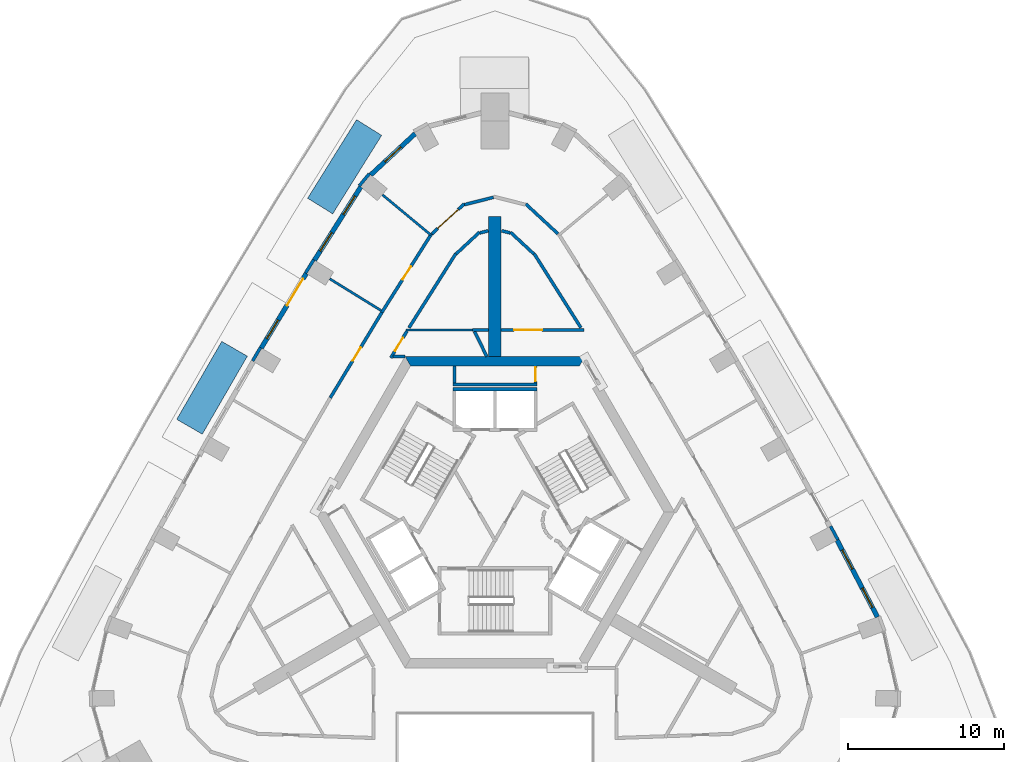
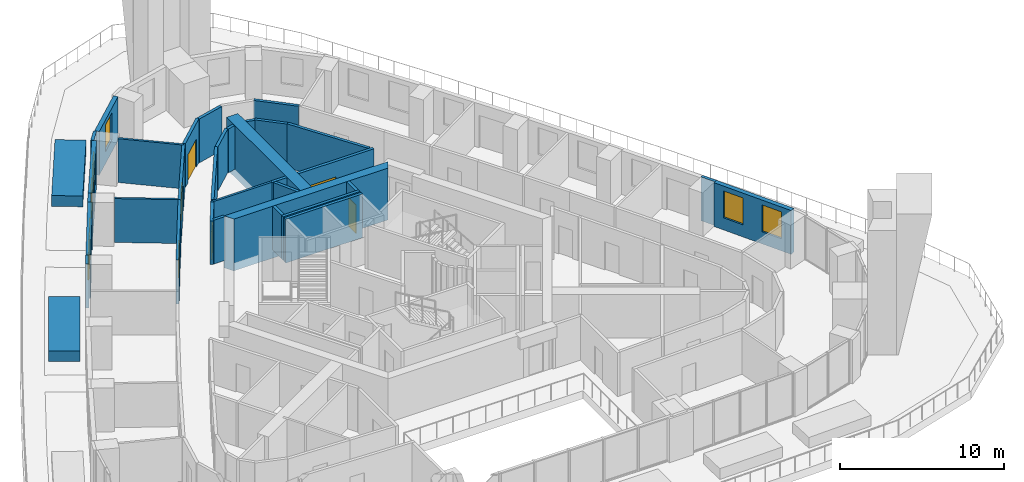
# One storey, part 9 of 14: 35 walls, 7 doors, 6 windows, 13 openings.
"""IFC4 building model written with IfcOpenShell, lengths in metres."""

from ifc_helpers import new_model, si_unit, direction, frame, frame_2d, origin, place, context, subcontext, project, spatial, polyline, rectangle, outline, extrude, material, layer, layer_set, type_object, element, fill, save


model = new_model("IFC4")

# Units and contexts
model_context = context("Model", 3, precision=1e-05, world=origin(), true_north=direction((0.0, 1.0)))
body_context = subcontext(model_context, "Body", "Model", "MODEL_VIEW")
ifc_project = project(units=[si_unit("LENGTHUNIT", "METRE"), si_unit("AREAUNIT", "SQUARE_METRE"), si_unit("VOLUMEUNIT", "CUBIC_METRE"), si_unit("PLANEANGLEUNIT", "RADIAN"), si_unit("MASSUNIT", "GRAM", prefix="KILO")], contexts=[model_context])

# Site, building, storey
site_placement = place(None, origin())
site = spatial("IfcSite", under=ifc_project, at=site_placement, CompositionType="ELEMENT")
building_placement = place(site_placement, origin())
building = spatial("IfcBuilding", under=site, at=building_placement, Name="Entoto Arch Interchange Tower", CompositionType="ELEMENT")
storey_placement = place(building_placement, frame((0.0, 0.0, 241.39990234375)))
storey = spatial("IfcBuildingStorey", under=building, at=storey_placement, Name="L54", CompositionType="ELEMENT", Elevation=241.39990234375)

# Walls
ifc_material_1 = material(Name="Concrete C40/50", Category="concrete")
ifc_layer_1 = layer(ifc_material_1, 0.800048828125)
ifc_layer_set_1 = layer_set([ifc_layer_1], Name="Concrete C40/50")
wall_type_1 = type_object("IfcWallType", Name="Buttress wall 800 C40/50", PredefinedType="SHEAR", material=ifc_layer_set_1)
wall_1_placement = place(storey_placement, frame((0.0, 12.5, -0.599853515625), z_axis=(0.0, 0.0, 1.0), x_axis=(0.0, 1.0, 0.0)))
element("IfcWall", 1, at=wall_1_placement, inside=storey, type_object=wall_type_1, Name="Buttress wall N L54", PredefinedType="SHEAR", context=body_context, shape_type="SweptSolid", body=[
    extrude(rectangle(XDim=9.0, YDim=0.800048828125, at=frame_2d((4.5, 0.0))), origin(), (0.0, 0.0, 1.0), 3.85986328125),
])
ifc_layer_2 = layer(ifc_material_1, 0.60009765625)
ifc_layer_set_2 = layer_set([ifc_layer_2], Name="Concrete C40/50")
wall_type_2 = type_object("IfcWallType", Name="Core wall 600 C40/50", PredefinedType="SHEAR", material=ifc_layer_set_2)
wall_2_placement = place(storey_placement, frame((0.0, 0.0, -0.599853515625)))
element("IfcWall", 2, at=wall_2_placement, inside=storey, type_object=wall_type_2, Name="Core wall N L54", PredefinedType="SHEAR", context=body_context, shape_type="SweptSolid", body=[
    extrude(outline(polyline([(5.77392578125, 12.5), (-5.77392578125, 12.5), (-5.427001953125, 11.89990234375), (5.427001953125, 11.89990234375), (5.77392578125, 12.5)])), origin(), (0.0, 0.0, 1.0), 3.85986328125),
])
ifc_layer_3 = layer(ifc_material_1, 0.199951171875)
ifc_layer_set_3 = layer_set([ifc_layer_3], Name="Concrete C40/50")
wall_type_3 = type_object("IfcWallType", Name="LIFT SHAFT WALL 200", PredefinedType="STANDARD", material=ifc_layer_set_3)
wall_3_placement = place(storey_placement, frame((2.699951171875, 10.39990234375, 0.0), z_axis=(0.0, 0.0, 1.0), x_axis=(-1.0, 0.0, 0.0)))
element("IfcWall", 3, at=wall_3_placement, inside=storey, type_object=wall_type_3, Name="Shaft wall N1 back", PredefinedType="STANDARD", context=body_context, shape_type="SweptSolid", body=[
    extrude(rectangle(XDim=5.39990234375, YDim=0.199951171875, at=frame_2d((2.699951171875, 0.0))), origin(), (0.0, 0.0, 1.0), 3.260009765625),
])
ifc_material_2 = material(Name="Gypsum board partition on steel studs", Category="steel")
ifc_layer_4 = layer(ifc_material_2, 0.14990234375)
ifc_layer_set_4 = layer_set([ifc_layer_4], Name="Gypsum board partition on steel studs")
wall_type_4 = type_object("IfcWallType", Name="PARTITION 150", PredefinedType="PARTITIONING", material=ifc_layer_set_4)
wall_4_placement = place(storey_placement, frame((-1.45703125, 14.199951171875, 0.0), z_axis=(0.0, 0.0, 1.0), x_axis=(-1.0, 0.0, 0.0)))
element("IfcWall", 4, at=wall_4_placement, inside=storey, type_object=wall_type_4, Name="wall:L54:p071", PredefinedType="PARTITIONING", context=body_context, shape_type="SweptSolid", body=[
    extrude(rectangle(XDim=4.25390625, YDim=0.14990234375, at=frame_2d((2.126953125, 0.0))), origin(), (0.0, 0.0, 1.0), 3.260009765625),
])
wall_5_placement = place(storey_placement, frame((-4.12109375, 20.31005859375, 0.0), z_axis=(0.0, 0.0, 1.0), x_axis=(-0.769367727798, 0.638806151679, 0.0)))
element("IfcWall", 5, at=wall_5_placement, inside=storey, type_object=wall_type_4, Name="wall:L54:p109", PredefinedType="PARTITIONING", context=body_context, shape_type="SweptSolid", body=[
    extrude(rectangle(XDim=4.02783203125, YDim=0.14990234375, at=frame_2d((2.013916015625, 0.0))), origin(), (0.0, 0.0, 1.0), 3.260009765625),
])
wall_6_placement = place(storey_placement, frame((-7.30908203125, 15.450927734375, 0.0), z_axis=(0.0, 0.0, 1.0), x_axis=(-0.850775656528, 0.525529049872, 0.0)))
element("IfcWall", 6, at=wall_6_placement, inside=storey, type_object=wall_type_4, Name="wall:L54:p110", PredefinedType="PARTITIONING", context=body_context, shape_type="SweptSolid", body=[
    extrude(rectangle(XDim=3.880126953125, YDim=0.14990234375, at=frame_2d((1.93994140625, 0.0))), origin(), (0.0, 0.0, 1.0), 3.260009765625),
])
ifc_layer_5 = layer(ifc_material_2, 0.199951171875)
ifc_layer_set_5 = layer_set([ifc_layer_5], Name="Gypsum board partition on steel studs")
wall_type_5 = type_object("IfcWallType", Name="PARTITION 200", PredefinedType="PARTITIONING", material=ifc_layer_set_5)
wall_7_placement = place(storey_placement, frame((-0.52294921875, 12.5, 0.0), z_axis=(0.0, 0.0, 1.0), x_axis=(-0.440503659888, 0.897750814884, 0.0)))
element("IfcWall", 7, at=wall_7_placement, inside=storey, type_object=wall_type_5, Name="wall:L54:p001", PredefinedType="PARTITIONING", context=body_context, shape_type="SweptSolid", body=[
    extrude(rectangle(XDim=1.79345703125, YDim=0.199951171875, at=frame_2d((0.896728515625, 0.0))), origin(), (0.0, 0.0, 1.0), 3.260009765625),
])

# Wall, opening, door
wall_8_placement = place(storey_placement, frame((-5.64990234375, 14.135986328125, 0.0), z_axis=(0.0, 0.0, 1.0), x_axis=(-0.516869099034, -0.856064445275, 0.0)))
wall_8 = element("IfcWall", 8, at=wall_8_placement, inside=storey, type_object=wall_type_5, Name="wall:L54:p002", PredefinedType="PARTITIONING", context=body_context, shape_type="SweptSolid", body=[
    extrude(rectangle(XDim=2.01025390625, YDim=0.199951171875, at=frame_2d((1.005126953125, 0.0))), origin(), (0.0, 0.0, 1.0), 3.260009765625),
])
opening_1_placement = place(wall_8_placement, frame((0.5048828125, 0.0, 0.0)))
opening_1 = element("IfcOpeningElement", 9, at=opening_1_placement, cuts=wall_8, Name="Opening L54-D24", PredefinedType="OPENING", context=body_context, shape_type="SweptSolid", body=[
    extrude(rectangle(XDim=1.0, YDim=2.10009765625, at=frame_2d((0.5, 1.050048828125))), frame((0.0, 0.10986328125, 0.0), z_axis=(0.0, -1.0, 0.0), x_axis=(1.0, 0.0, 0.0)), (0.0, 0.0, 1.0), 0.219970703125),
])
ifc_material_3 = material(Name="Timber door leaf in Steel S235 frame", Category="steel")
door_type_1 = type_object("IfcDoorType", Name="DOOR DS-10 1000x2100", OperationType="SINGLE_SWING_LEFT", PredefinedType="DOOR", material=ifc_material_3)
door_1_placement = place(opening_1_placement, origin())
door_1 = element("IfcDoor", 10, at=door_1_placement, inside=storey, type_object=door_type_1, Name="door:L54:24", OperationType="SINGLE_SWING_LEFT", OverallHeight=2.10009765625, OverallWidth=1.0, PredefinedType="DOOR", context=body_context, shape_type="SweptSolid", body=[
    extrude(rectangle(XDim=1.0, YDim=2.10009765625, at=frame_2d((0.5, 1.050048828125))), frame((0.0, 0.02490234375, 0.0), z_axis=(0.0, -1.0, 0.0), x_axis=(1.0, 0.0, 0.0)), (0.0, 0.0, 1.0), 0.050048828125),
])
fill(opening_1, door_1)

# Walls
wall_9_placement = place(storey_placement, frame((-6.537109375, 12.5009765625, 0.0), z_axis=(0.0, 0.0, 1.0), x_axis=(1.0, 0.0, 0.0)))
element("IfcWall", 11, at=wall_9_placement, inside=storey, type_object=wall_type_5, Name="wall:L54:p003", PredefinedType="PARTITIONING", context=body_context, shape_type="SweptSolid", body=[
    extrude(rectangle(XDim=0.76611328125, YDim=0.199951171875, at=frame_2d((0.383056640625, 0.0))), origin(), (0.0, 0.0, 1.0), 3.260009765625),
])
wall_10_placement = place(storey_placement, frame((-1.45703125, 14.199951171875, 0.0), z_axis=(0.0, 0.0, 1.0), x_axis=(1.0, 0.0, 0.0)))
element("IfcWall", 12, at=wall_10_placement, inside=storey, type_object=wall_type_5, Name="wall:L54:p006", PredefinedType="PARTITIONING", context=body_context, shape_type="SweptSolid", body=[
    extrude(rectangle(XDim=1.05712890625, YDim=0.199951171875, at=frame_2d((0.528564453125, 0.0))), origin(), (0.0, 0.0, 1.0), 3.260009765625),
])
wall_11_placement = place(storey_placement, frame((5.52197265625, 14.347900390625, 0.0), z_axis=(0.0, 0.0, 1.0), x_axis=(-0.534090914267, 0.845427049069, 0.0)))
element("IfcWall", 13, at=wall_11_placement, inside=storey, type_object=wall_type_5, Name="wall:L54:p007", PredefinedType="PARTITIONING", context=body_context, shape_type="SweptSolid", body=[
    extrude(rectangle(XDim=5.6279296875, YDim=0.199951171875, at=frame_2d((2.81396484375, 0.0))), origin(), (0.0, 0.0, 1.0), 3.260009765625),
])
wall_12_placement = place(storey_placement, frame((2.49609375, 19.090087890625, 0.0), z_axis=(0.0, 0.0, 1.0), x_axis=(-0.732801987597, 0.680441949746, 0.0)))
element("IfcWall", 14, at=wall_12_placement, inside=storey, type_object=wall_type_5, Name="wall:L54:p008", PredefinedType="PARTITIONING", context=body_context, shape_type="SweptSolid", body=[
    extrude(rectangle(XDim=2.046875, YDim=0.199951171875, at=frame_2d((1.0234375, 0.0))), origin(), (0.0, 0.0, 1.0), 3.260009765625),
])
for number, where, z_axis, x_axis, name in (
    (15, (0.971923828125, 20.43896484375, 0.0), (0.0, 0.0, 1.0), (-0.969219298128, 0.246199009212, 0.0), "wall:L54:p009"),
    (16, (-0.425048828125, 20.577880859375, 0.0), (0.0, 0.0, 1.0), (-0.969219298128, -0.246199009212, 0.0), "wall:L54:p010"),
):
    element("IfcWall", number, at=place(storey_placement, frame(where, z_axis=z_axis, x_axis=x_axis)), inside=storey, type_object=wall_type_5, Name=name, PredefinedType="PARTITIONING", context=body_context, shape_type="SweptSolid", body=[
        extrude(rectangle(XDim=0.564208984375, YDim=0.199951171875, at=frame_2d((0.2822265625, 0.0))), origin(), (0.0, 0.0, 1.0), 3.260009765625),
    ])
wall_13_placement = place(storey_placement, frame((-0.99609375, 20.48291015625, 0.0), z_axis=(0.0, 0.0, 1.0), x_axis=(-0.732801987597, -0.680441949746, 0.0)))
element("IfcWall", 17, at=wall_13_placement, inside=storey, type_object=wall_type_5, Name="wall:L54:p011", PredefinedType="PARTITIONING", context=body_context, shape_type="SweptSolid", body=[
    extrude(rectangle(XDim=2.046875, YDim=0.199951171875, at=frame_2d((1.0234375, 0.0))), origin(), (0.0, 0.0, 1.0), 3.260009765625),
])
wall_14_placement = place(storey_placement, frame((-2.51611328125, 19.10595703125, 0.0), z_axis=(0.0, 0.0, 1.0), x_axis=(-0.534090914267, -0.845427049069, 0.0)))
element("IfcWall", 18, at=wall_14_placement, inside=storey, type_object=wall_type_5, Name="wall:L54:p012", PredefinedType="PARTITIONING", context=body_context, shape_type="SweptSolid", body=[
    extrude(rectangle(XDim=5.6279296875, YDim=0.199951171875, at=frame_2d((2.81396484375, 0.0))), origin(), (0.0, 0.0, 1.0), 3.260009765625),
])

# Wall, opening, door
wall_15_placement = place(storey_placement, frame((-4.048095703125, 20.3779296875, 0.0), z_axis=(0.0, 0.0, 1.0), x_axis=(0.732913830966, 0.680321480169, 0.0)))
wall_15 = element("IfcWall", 19, at=wall_15_placement, inside=storey, type_object=wall_type_5, Name="wall:L54:p047", PredefinedType="PARTITIONING", context=body_context, shape_type="SweptSolid", body=[
    extrude(rectangle(XDim=2.81787109375, YDim=0.199951171875, at=frame_2d((1.408935546875, 0.0))), origin(), (0.0, 0.0, 1.0), 3.260009765625),
])
opening_2_placement = place(wall_15_placement, frame((0.509033203125, 0.0, 0.0)))
opening_2 = element("IfcOpeningElement", 20, at=opening_2_placement, cuts=wall_15, Name="Opening L54-D07", PredefinedType="OPENING", context=body_context, shape_type="SweptSolid", body=[
    extrude(rectangle(XDim=1.800048828125, YDim=2.10009765625, at=frame_2d((0.89990234375, 1.050048828125))), frame((0.0, 0.10986328125, 0.0), z_axis=(0.0, -1.0, 0.0), x_axis=(1.0, 0.0, 0.0)), (0.0, 0.0, 1.0), 0.219970703125),
])
door_type_2 = type_object("IfcDoorType", Name="DOOR DD-18 1800x2100", OperationType="DOUBLE_DOOR_SINGLE_SWING", PredefinedType="DOOR", material=ifc_material_3)
door_2_placement = place(opening_2_placement, origin())
door_2 = element("IfcDoor", 21, at=door_2_placement, inside=storey, type_object=door_type_2, Name="door:L54:07", OperationType="DOUBLE_DOOR_SINGLE_SWING", OverallHeight=2.10009765625, OverallWidth=1.800048828125, PredefinedType="DOOR", context=body_context, shape_type="SweptSolid", body=[
    extrude(rectangle(XDim=1.800048828125, YDim=2.10009765625, at=frame_2d((0.89990234375, 1.050048828125))), frame((0.0, 0.02490234375, 0.0), z_axis=(0.0, -1.0, 0.0), x_axis=(1.0, 0.0, 0.0)), (0.0, 0.0, 1.0), 0.050048828125),
])
fill(opening_2, door_2)

# Walls
wall_16_placement = place(storey_placement, frame((-1.958984375, 22.251953125, 0.0), z_axis=(0.0, 0.0, 1.0), x_axis=(0.969079499141, 0.246748706875, 0.0)))
element("IfcWall", 22, at=wall_16_placement, inside=storey, type_object=wall_type_5, Name="wall:L54:p048", PredefinedType="PARTITIONING", context=body_context, shape_type="SweptSolid", body=[
    extrude(rectangle(XDim=1.92138671875, YDim=0.199951171875, at=frame_2d((0.960693359375, 0.0))), origin(), (0.0, 0.0, 1.0), 3.260009765625),
])
wall_17_placement = place(storey_placement, frame((1.98291015625, 22.294921875, 0.0), z_axis=(0.0, 0.0, 1.0), x_axis=(0.732913830966, -0.680321480169, 0.0)))
element("IfcWall", 23, at=wall_17_placement, inside=storey, type_object=wall_type_5, Name="wall:L54:p050", PredefinedType="PARTITIONING", context=body_context, shape_type="SweptSolid", body=[
    extrude(rectangle(XDim=2.81787109375, YDim=0.199951171875, at=frame_2d((1.408935546875, 0.0))), origin(), (0.0, 0.0, 1.0), 3.260009765625),
])

# Wall, opening, door
wall_18_placement = place(storey_placement, frame((-7.263916015625, 15.3349609375, 0.0), z_axis=(0.0, 0.0, 1.0), x_axis=(0.533989921757, 0.845490841737, 0.0)))
wall_18 = element("IfcWall", 24, at=wall_18_placement, inside=storey, type_object=wall_type_5, Name="wall:L54:p051", PredefinedType="PARTITIONING", context=body_context, shape_type="SweptSolid", body=[
    extrude(rectangle(XDim=5.98486328125, YDim=0.199951171875, at=frame_2d((2.992431640625, 0.0))), origin(), (0.0, 0.0, 1.0), 3.260009765625),
])
opening_3_placement = place(wall_18_placement, frame((2.491943359375, 0.0, 0.0)))
opening_3 = element("IfcOpeningElement", 25, at=opening_3_placement, cuts=wall_18, Name="Opening L54-D08", PredefinedType="OPENING", context=body_context, shape_type="SweptSolid", body=[
    extrude(rectangle(XDim=1.0, YDim=2.10009765625, at=frame_2d((0.5, 1.050048828125))), frame((0.0, 0.10986328125, 0.0), z_axis=(0.0, -1.0, 0.0), x_axis=(1.0, 0.0, 0.0)), (0.0, 0.0, 1.0), 0.219970703125),
])
door_3_placement = place(opening_3_placement, origin())
door_3 = element("IfcDoor", 26, at=door_3_placement, inside=storey, type_object=door_type_1, Name="door:L54:08", OperationType="SINGLE_SWING_LEFT", OverallHeight=2.10009765625, OverallWidth=1.0, PredefinedType="DOOR", context=body_context, shape_type="SweptSolid", body=[
    extrude(rectangle(XDim=1.0, YDim=2.10009765625, at=frame_2d((0.5, 1.050048828125))), frame((0.0, 0.02490234375, 0.0), z_axis=(0.0, -1.0, 0.0), x_axis=(1.0, 0.0, 0.0)), (0.0, 0.0, 1.0), 0.050048828125),
])
fill(opening_3, door_3)

wall_19_placement = place(storey_placement, frame((-10.575927734375, 9.84912109375, 0.0), z_axis=(0.0, 0.0, 1.0), x_axis=(0.517026085378, 0.855969641423, 0.0)))
wall_19 = element("IfcWall", 27, at=wall_19_placement, inside=storey, type_object=wall_type_5, Name="wall:L54:p053", PredefinedType="PARTITIONING", context=body_context, shape_type="SweptSolid", body=[
    extrude(rectangle(XDim=6.40771484375, YDim=0.199951171875, at=frame_2d((3.203857421875, 0.0))), origin(), (0.0, 0.0, 1.0), 3.260009765625),
])
opening_4_placement = place(wall_19_placement, frame((2.779052734375, 0.0, 0.0)))
opening_4 = element("IfcOpeningElement", 28, at=opening_4_placement, cuts=wall_19, Name="Opening L54-D09", PredefinedType="OPENING", context=body_context, shape_type="SweptSolid", body=[
    extrude(rectangle(XDim=1.0, YDim=2.10009765625, at=frame_2d((0.5, 1.050048828125))), frame((0.0, 0.10986328125, 0.0), z_axis=(0.0, -1.0, 0.0), x_axis=(1.0, 0.0, 0.0)), (0.0, 0.0, 1.0), 0.219970703125),
])
door_4_placement = place(opening_4_placement, origin())
door_4 = element("IfcDoor", 29, at=door_4_placement, inside=storey, type_object=door_type_1, Name="door:L54:09", OperationType="SINGLE_SWING_LEFT", OverallHeight=2.10009765625, OverallWidth=1.0, PredefinedType="DOOR", context=body_context, shape_type="SweptSolid", body=[
    extrude(rectangle(XDim=1.0, YDim=2.10009765625, at=frame_2d((0.5, 1.050048828125))), frame((0.0, 0.02490234375, 0.0), z_axis=(0.0, -1.0, 0.0), x_axis=(1.0, 0.0, 0.0)), (0.0, 0.0, 1.0), 0.050048828125),
])
fill(opening_4, door_4)

# Wall
wall_20_placement = place(storey_placement, frame((-2.60009765625, 10.800048828125, 0.0), z_axis=(0.0, 0.0, 1.0), x_axis=(0.0, 1.0, 0.0)))
element("IfcWall", 30, at=wall_20_placement, inside=storey, type_object=wall_type_5, Name="wall:L54:p062", PredefinedType="PARTITIONING", context=body_context, shape_type="SweptSolid", body=[
    extrude(rectangle(XDim=1.099853515625, YDim=0.199951171875, at=frame_2d((0.5498046875, 0.0))), origin(), (0.0, 0.0, 1.0), 3.260009765625),
])

# Wall, opening, door
wall_21_placement = place(storey_placement, frame((2.60009765625, 11.89990234375, 0.0), z_axis=(0.0, 0.0, 1.0), x_axis=(0.0, -1.0, 0.0)))
wall_21 = element("IfcWall", 31, at=wall_21_placement, inside=storey, type_object=wall_type_5, Name="wall:L54:p063", PredefinedType="PARTITIONING", context=body_context, shape_type="SweptSolid", body=[
    extrude(rectangle(XDim=1.099853515625, YDim=0.199951171875, at=frame_2d((0.5498046875, 0.0))), origin(), (0.0, 0.0, 1.0), 3.260009765625),
])
opening_5_placement = place(wall_21_placement, frame((0.10009765625, 0.0, 0.0)))
opening_5 = element("IfcOpeningElement", 32, at=opening_5_placement, cuts=wall_21, Name="Opening L54-D28", PredefinedType="OPENING", context=body_context, shape_type="SweptSolid", body=[
    extrude(rectangle(XDim=0.89990234375, YDim=2.10009765625, at=frame_2d((0.449951171875, 1.050048828125))), frame((0.0, 0.10986328125, 0.0), z_axis=(0.0, -1.0, 0.0), x_axis=(1.0, 0.0, 0.0)), (0.0, 0.0, 1.0), 0.219970703125),
])
door_type_3 = type_object("IfcDoorType", Name="DOOR DS-09 900x2100", OperationType="SINGLE_SWING_LEFT", PredefinedType="DOOR", material=ifc_material_3)
door_5_placement = place(opening_5_placement, origin())
door_5 = element("IfcDoor", 33, at=door_5_placement, inside=storey, type_object=door_type_3, Name="door:L54:28", OperationType="SINGLE_SWING_LEFT", OverallHeight=2.10009765625, OverallWidth=0.89990234375, PredefinedType="DOOR", context=body_context, shape_type="SweptSolid", body=[
    extrude(rectangle(XDim=0.89990234375, YDim=2.10009765625, at=frame_2d((0.449951171875, 1.050048828125))), frame((0.0, 0.02490234375, 0.0), z_axis=(0.0, -1.0, 0.0), x_axis=(1.0, 0.0, 0.0)), (0.0, 0.0, 1.0), 0.050048828125),
])
fill(opening_5, door_5)

# Wall
wall_22_placement = place(storey_placement, frame((2.699951171875, 10.699951171875, 0.0), z_axis=(0.0, 0.0, 1.0), x_axis=(-1.0, 0.0, 0.0)))
element("IfcWall", 34, at=wall_22_placement, inside=storey, type_object=wall_type_5, Name="wall:L54:p064", PredefinedType="PARTITIONING", context=body_context, shape_type="SweptSolid", body=[
    extrude(rectangle(XDim=5.39990234375, YDim=0.199951171875, at=frame_2d((2.699951171875, 0.0))), origin(), (0.0, 0.0, 1.0), 3.260009765625),
])

# Wall, opening, door
wall_23_placement = place(storey_placement, frame((0.39990234375, 14.199951171875, 0.0), z_axis=(0.0, 0.0, 1.0), x_axis=(1.0, 0.0, 0.0)))
wall_23 = element("IfcWall", 35, at=wall_23_placement, inside=storey, type_object=wall_type_5, Name="wall:L54:p006", PredefinedType="PARTITIONING", context=body_context, shape_type="SweptSolid", body=[
    extrude(rectangle(XDim=5.31103515625, YDim=0.199951171875, at=frame_2d((2.655517578125, 0.0))), origin(), (0.0, 0.0, 1.0), 3.260009765625),
])
opening_6_placement = place(wall_23_placement, frame((0.826904296875, 0.0, 0.0)))
opening_6 = element("IfcOpeningElement", 36, at=opening_6_placement, cuts=wall_23, Name="Opening L54-D18", PredefinedType="OPENING", context=body_context, shape_type="SweptSolid", body=[
    extrude(rectangle(XDim=1.800048828125, YDim=2.10009765625, at=frame_2d((0.89990234375, 1.050048828125))), frame((0.0, 0.10986328125, 0.0), z_axis=(0.0, -1.0, 0.0), x_axis=(1.0, 0.0, 0.0)), (0.0, 0.0, 1.0), 0.219970703125),
])
door_6_placement = place(opening_6_placement, origin())
door_6 = element("IfcDoor", 37, at=door_6_placement, inside=storey, type_object=door_type_2, Name="door:L54:18", OperationType="DOUBLE_DOOR_SINGLE_SWING", OverallHeight=2.10009765625, OverallWidth=1.800048828125, PredefinedType="DOOR", context=body_context, shape_type="SweptSolid", body=[
    extrude(rectangle(XDim=1.800048828125, YDim=2.10009765625, at=frame_2d((0.89990234375, 1.050048828125))), frame((0.0, 0.02490234375, 0.0), z_axis=(0.0, -1.0, 0.0), x_axis=(1.0, 0.0, 0.0)), (0.0, 0.0, 1.0), 0.050048828125),
])
fill(opening_6, door_6)

# Walls
ifc_material_4 = material(Name="Board-marked precast concrete C50/60", Category="concrete")
ifc_layer_6 = layer(ifc_material_4, 1.89990234375)
ifc_layer_set_6 = layer_set([ifc_layer_6], Name="Board-marked precast concrete C50/60")
wall_type_6 = type_object("IfcWallType", Name="PLANTER RC 1900 Hagenia abyssinica", PredefinedType="STANDARD", material=ifc_layer_set_6)
wall_24_placement = place(storey_placement, frame((-8.0810546875, 27.208984375, 0.0), z_axis=(0.0, 0.0, 1.0), x_axis=(-0.528950321205, -0.848652789836, 0.0)))
element("IfcWall", 38, at=wall_24_placement, inside=storey, type_object=wall_type_6, Name="Terrace planter NW-01 L54", PredefinedType="STANDARD", context=body_context, shape_type="SweptSolid", body=[
    extrude(rectangle(XDim=5.94580078125, YDim=1.89990234375, at=frame_2d((2.972900390625, 0.0))), origin(), (0.0, 0.0, 1.0), 0.800048828125),
])
ifc_layer_7 = layer(ifc_material_4, 1.89990234375)
ifc_layer_set_7 = layer_set([ifc_layer_7], Name="Board-marked precast concrete C50/60")
wall_type_7 = type_object("IfcWallType", Name="PLANTER RC 1900 Olea europaea subsp. cuspidata", PredefinedType="STANDARD", material=ifc_layer_set_7)
wall_25_placement = place(storey_placement, frame((-16.72509765625, 12.9970703125, 0.0), z_axis=(0.0, 0.0, 1.0), x_axis=(-0.499964737226, -0.866045761799, 0.0)))
element("IfcWall", 39, at=wall_25_placement, inside=storey, type_object=wall_type_7, Name="Terrace planter NW-03 L54", PredefinedType="STANDARD", context=body_context, shape_type="SweptSolid", body=[
    extrude(rectangle(XDim=5.7861328125, YDim=1.89990234375, at=frame_2d((2.89306640625, 0.0))), origin(), (0.0, 0.0, 1.0), 0.800048828125),
])

# Wall, openings, windows
ifc_material_5 = material(Name="Welded tuff (ignimbrite) cladding, warm buff", Category="masonry")
ifc_layer_8 = layer(ifc_material_5, 0.300048828125)
ifc_layer_set_8 = layer_set([ifc_layer_8], Name="Welded tuff (ignimbrite) cladding, warm buff")
wall_type_8 = type_object("IfcWallType", Name="STONE INFILL WALL 300", PredefinedType="STANDARD", material=ifc_layer_set_8)
wall_26_placement = place(storey_placement, frame((24.570068359375, -4.23388671875, 0.0), z_axis=(0.0, 0.0, 1.0), x_axis=(-0.465228032148, 0.885190871001, 0.0)))
wall_26 = element("IfcWall", 40, at=wall_26_placement, inside=storey, type_object=wall_type_8, Name="Facade wall NE-01 L54", PredefinedType="STANDARD", context=body_context, shape_type="SweptSolid", body=[
    extrude(rectangle(XDim=5.571533203125, YDim=0.300048828125, at=frame_2d((2.78564453125, 0.0))), origin(), (0.0, 0.0, 1.0), 3.260009765625),
])
opening_7_placement = place(wall_26_placement, frame((0.693115234375, 0.0, 0.89990234375)))
opening_7 = element("IfcOpeningElement", 41, at=opening_7_placement, cuts=wall_26, Name="Opening WH-B", PredefinedType="OPENING", context=body_context, shape_type="SweptSolid", body=[
    extrude(rectangle(XDim=1.39990234375, YDim=2.0, at=frame_2d((0.699951171875, 1.0))), frame((0.0, 0.16015625, 0.0), z_axis=(0.0, -1.0, 0.0), x_axis=(1.0, 0.0, 0.0)), (0.0, 0.0, 1.0), 0.320068359375),
])
opening_8_placement = place(wall_26_placement, frame((3.47900390625, 0.0, 0.89990234375)))
opening_8 = element("IfcOpeningElement", 42, at=opening_8_placement, cuts=wall_26, Name="Opening WH-B", PredefinedType="OPENING", context=body_context, shape_type="SweptSolid", body=[
    extrude(rectangle(XDim=1.39990234375, YDim=2.0, at=frame_2d((0.699951171875, 1.0))), frame((0.0, 0.16015625, 0.0), z_axis=(0.0, -1.0, 0.0), x_axis=(1.0, 0.0, 0.0)), (0.0, 0.0, 1.0), 0.320068359375),
])
ifc_material_6 = material(Name="Clear glass, low-e double glazed", Category="glass")
window_type = type_object("IfcWindowType", Name="WINDOW WH-B 1400x2000", PartitioningType="DOUBLE_PANEL_VERTICAL", PredefinedType="WINDOW", material=ifc_material_6)
window_1_placement = place(opening_7_placement, origin())
window_1 = element("IfcWindow", 43, at=window_1_placement, inside=storey, type_object=window_type, Name="Window WH-B NE-01 L54", OverallHeight=2.0, OverallWidth=1.39990234375, PartitioningType="SINGLE_PANEL", PredefinedType="WINDOW", context=body_context, shape_type="SweptSolid", body=[
    extrude(rectangle(XDim=1.39990234375, YDim=2.0, at=frame_2d((0.699951171875, 1.0))), frame((0.0, 0.030029296875, 0.0), z_axis=(0.0, -1.0, 0.0), x_axis=(1.0, 0.0, 0.0)), (0.0, 0.0, 1.0), 0.06005859375),
])
fill(opening_7, window_1)
window_2_placement = place(opening_8_placement, origin())
window_2 = element("IfcWindow", 44, at=window_2_placement, inside=storey, type_object=window_type, Name="Window WH-B NE-01 L54", OverallHeight=2.0, OverallWidth=1.39990234375, PartitioningType="SINGLE_PANEL", PredefinedType="WINDOW", context=body_context, shape_type="SweptSolid", body=[
    extrude(rectangle(XDim=1.39990234375, YDim=2.0, at=frame_2d((0.699951171875, 1.0))), frame((0.0, 0.030029296875, 0.0), z_axis=(0.0, -1.0, 0.0), x_axis=(1.0, 0.0, 0.0)), (0.0, 0.0, 1.0), 0.06005859375),
])
fill(opening_8, window_2)

# Wall, opening, window
wall_27_placement = place(storey_placement, frame((-5.123046875, 26.81591796875, 0.0), z_axis=(0.0, 0.0, 1.0), x_axis=(-0.733038780179, -0.680186846942, 0.0)))
wall_27 = element("IfcWall", 45, at=wall_27_placement, inside=storey, type_object=wall_type_8, Name="Facade wall N-04 L54", PredefinedType="STANDARD", context=body_context, shape_type="SweptSolid", body=[
    extrude(rectangle(XDim=3.898681640625, YDim=0.300048828125, at=frame_2d((1.94921875, 0.0))), origin(), (0.0, 0.0, 1.0), 3.260009765625),
])
opening_9_placement = place(wall_27_placement, frame((1.2490234375, 0.0, 0.89990234375)))
opening_9 = element("IfcOpeningElement", 46, at=opening_9_placement, cuts=wall_27, Name="Opening WH-B", PredefinedType="OPENING", context=body_context, shape_type="SweptSolid", body=[
    extrude(rectangle(XDim=1.39990234375, YDim=2.0, at=frame_2d((0.699951171875, 1.0))), frame((0.0, 0.16015625, 0.0), z_axis=(0.0, -1.0, 0.0), x_axis=(1.0, 0.0, 0.0)), (0.0, 0.0, 1.0), 0.320068359375),
])
window_3_placement = place(opening_9_placement, origin())
window_3 = element("IfcWindow", 47, at=window_3_placement, inside=storey, type_object=window_type, Name="Window WH-B N-04 L54", OverallHeight=2.0, OverallWidth=1.39990234375, PartitioningType="SINGLE_PANEL", PredefinedType="WINDOW", context=body_context, shape_type="SweptSolid", body=[
    extrude(rectangle(XDim=1.39990234375, YDim=2.0, at=frame_2d((0.699951171875, 1.0))), frame((0.0, 0.030029296875, 0.0), z_axis=(0.0, -1.0, 0.0), x_axis=(1.0, 0.0, 0.0)), (0.0, 0.0, 1.0), 0.06005859375),
])
fill(opening_9, window_3)

# Wall, openings, windows
wall_28_placement = place(storey_placement, frame((-8.617919921875, 23.39599609375, 0.0), z_axis=(0.0, 0.0, 1.0), x_axis=(-0.534088597203, -0.845428512849, 0.0)))
wall_28 = element("IfcWall", 48, at=wall_28_placement, inside=storey, type_object=wall_type_8, Name="Facade wall NW-01 L54", PredefinedType="STANDARD", context=body_context, shape_type="SweptSolid", body=[
    extrude(rectangle(XDim=5.572265625, YDim=0.300048828125, at=frame_2d((2.7861328125, 0.0))), origin(), (0.0, 0.0, 1.0), 3.260009765625),
])
opening_10_placement = place(wall_28_placement, frame((0.693115234375, 0.0, 0.89990234375)))
opening_10 = element("IfcOpeningElement", 49, at=opening_10_placement, cuts=wall_28, Name="Opening WH-B", PredefinedType="OPENING", context=body_context, shape_type="SweptSolid", body=[
    extrude(rectangle(XDim=1.39990234375, YDim=2.0, at=frame_2d((0.699951171875, 1.0))), frame((0.0, 0.16015625, 0.0), z_axis=(0.0, -1.0, 0.0), x_axis=(1.0, 0.0, 0.0)), (0.0, 0.0, 1.0), 0.320068359375),
])
opening_11_placement = place(wall_28_placement, frame((3.47900390625, 0.0, 0.89990234375)))
opening_11 = element("IfcOpeningElement", 50, at=opening_11_placement, cuts=wall_28, Name="Opening WH-B", PredefinedType="OPENING", context=body_context, shape_type="SweptSolid", body=[
    extrude(rectangle(XDim=1.39990234375, YDim=2.0, at=frame_2d((0.699951171875, 1.0))), frame((0.0, 0.16015625, 0.0), z_axis=(0.0, -1.0, 0.0), x_axis=(1.0, 0.0, 0.0)), (0.0, 0.0, 1.0), 0.320068359375),
])
window_4_placement = place(opening_10_placement, origin())
window_4 = element("IfcWindow", 51, at=window_4_placement, inside=storey, type_object=window_type, Name="Window WH-B NW-01 L54", OverallHeight=2.0, OverallWidth=1.39990234375, PartitioningType="SINGLE_PANEL", PredefinedType="WINDOW", context=body_context, shape_type="SweptSolid", body=[
    extrude(rectangle(XDim=1.39990234375, YDim=2.0, at=frame_2d((0.699951171875, 1.0))), frame((0.0, 0.030029296875, 0.0), z_axis=(0.0, -1.0, 0.0), x_axis=(1.0, 0.0, 0.0)), (0.0, 0.0, 1.0), 0.06005859375),
])
fill(opening_10, window_4)
window_5_placement = place(opening_11_placement, origin())
window_5 = element("IfcWindow", 52, at=window_5_placement, inside=storey, type_object=window_type, Name="Window WH-B NW-01 L54", OverallHeight=2.0, OverallWidth=1.39990234375, PartitioningType="SINGLE_PANEL", PredefinedType="WINDOW", context=body_context, shape_type="SweptSolid", body=[
    extrude(rectangle(XDim=1.39990234375, YDim=2.0, at=frame_2d((0.699951171875, 1.0))), frame((0.0, 0.030029296875, 0.0), z_axis=(0.0, -1.0, 0.0), x_axis=(1.0, 0.0, 0.0)), (0.0, 0.0, 1.0), 0.06005859375),
])
fill(opening_11, window_5)

# Wall, openings, door, window
wall_29_placement = place(storey_placement, frame((-12.117919921875, 17.8359375, 0.0), z_axis=(0.0, 0.0, 1.0), x_axis=(-0.517169592475, -0.855882943293, 0.0)))
wall_29 = element("IfcWall", 53, at=wall_29_placement, inside=storey, type_object=wall_type_8, Name="Facade wall NW-02 L54", PredefinedType="STANDARD", context=body_context, shape_type="SweptSolid", body=[
    extrude(rectangle(XDim=5.593994140625, YDim=0.300048828125, at=frame_2d((2.796875, 0.0))), origin(), (0.0, 0.0, 1.0), 3.260009765625),
])
opening_12_placement = place(wall_29_placement, frame((0.39892578125, 0.0, 0.0)))
opening_12 = element("IfcOpeningElement", 54, at=opening_12_placement, cuts=wall_29, Name="Opening DT-NW-02-L54", PredefinedType="OPENING", context=body_context, shape_type="SweptSolid", body=[
    extrude(rectangle(XDim=2.0, YDim=2.39990234375, at=frame_2d((1.0, 1.199951171875))), frame((0.0, 0.16015625, 0.0), z_axis=(0.0, -1.0, 0.0), x_axis=(1.0, 0.0, 0.0)), (0.0, 0.0, 1.0), 0.320068359375),
])
opening_13_placement = place(wall_29_placement, frame((3.49609375, 0.0, 0.89990234375)))
opening_13 = element("IfcOpeningElement", 55, at=opening_13_placement, cuts=wall_29, Name="Opening WH-B", PredefinedType="OPENING", context=body_context, shape_type="SweptSolid", body=[
    extrude(rectangle(XDim=1.39990234375, YDim=2.0, at=frame_2d((0.699951171875, 1.0))), frame((0.0, 0.16015625, 0.0), z_axis=(0.0, -1.0, 0.0), x_axis=(1.0, 0.0, 0.0)), (0.0, 0.0, 1.0), 0.320068359375),
])
ifc_material_7 = material(Name="Aluminium and clear glass, anodised", Category="aluminium")
door_type_4 = type_object("IfcDoorType", Name="TERRACE DOOR DT 2000x2400", OperationType="SLIDING_TO_LEFT", PredefinedType="DOOR", material=ifc_material_7)
door_7_placement = place(opening_12_placement, origin())
door_7 = element("IfcDoor", 56, at=door_7_placement, inside=storey, type_object=door_type_4, Name="Terrace door NW-02 L54", OperationType="SLIDING_TO_LEFT", OverallHeight=2.39990234375, OverallWidth=2.0, PredefinedType="DOOR", context=body_context, shape_type="SweptSolid", body=[
    extrude(rectangle(XDim=2.0, YDim=2.39990234375, at=frame_2d((1.0, 1.199951171875))), frame((0.0, 0.02490234375, 0.0), z_axis=(0.0, -1.0, 0.0), x_axis=(1.0, 0.0, 0.0)), (0.0, 0.0, 1.0), 0.050048828125),
])
fill(opening_12, door_7)
window_6_placement = place(opening_13_placement, origin())
window_6 = element("IfcWindow", 57, at=window_6_placement, inside=storey, type_object=window_type, Name="Window WH-B NW-02 L54", OverallHeight=2.0, OverallWidth=1.39990234375, PartitioningType="SINGLE_PANEL", PredefinedType="WINDOW", context=body_context, shape_type="SweptSolid", body=[
    extrude(rectangle(XDim=1.39990234375, YDim=2.0, at=frame_2d((0.699951171875, 1.0))), frame((0.0, 0.030029296875, 0.0), z_axis=(0.0, -1.0, 0.0), x_axis=(1.0, 0.0, 0.0)), (0.0, 0.0, 1.0), 0.06005859375),
])
fill(opening_13, window_6)

# Walls
ifc_layer_9 = layer(ifc_material_5, 0.199951171875)
ifc_layer_set_9 = layer_set([ifc_layer_9], Name="Welded tuff (ignimbrite) cladding, warm buff")
wall_type_9 = type_object("IfcWallType", Name="STONE PIER CLADDING 200", PredefinedType="STANDARD", material=ifc_layer_set_9)
wall_30_placement = place(storey_placement, frame((22.027099609375, 0.722900390625, 0.0), z_axis=(0.0, 0.0, 1.0), x_axis=(-0.473852444207, 0.880604259085, 0.0)))
element("IfcWall", 58, at=wall_30_placement, inside=storey, type_object=wall_type_9, Name="Stone pier NE02 L54", PredefinedType="STANDARD", context=body_context, shape_type="SweptSolid", body=[
    extrude(rectangle(XDim=1.00048828125, YDim=0.199951171875, at=frame_2d((0.500244140625, 0.0))), origin(), (0.0, 0.0, 1.0), 3.260009765625),
])
wall_31_placement = place(storey_placement, frame((-8.070068359375, 24.239013671875, 0.0), z_axis=(0.0, 0.0, 1.0), x_axis=(-0.637972365578, -0.770059257953, 0.0)))
element("IfcWall", 59, at=wall_31_placement, inside=storey, type_object=wall_type_9, Name="Stone pier NW01 L54", PredefinedType="STANDARD", context=body_context, shape_type="SweptSolid", body=[
    extrude(rectangle(XDim=1.0, YDim=0.199951171875, at=frame_2d((0.5, 0.0))), origin(), (0.0, 0.0, 1.0), 3.260009765625),
])
wall_32_placement = place(storey_placement, frame((-11.639892578125, 18.715087890625, 0.0), z_axis=(0.0, 0.0, 1.0), x_axis=(-0.525825307325, -0.850592585306, 0.0)))
element("IfcWall", 60, at=wall_32_placement, inside=storey, type_object=wall_type_9, Name="Stone pier NW02 L54", PredefinedType="STANDARD", context=body_context, shape_type="SweptSolid", body=[
    extrude(rectangle(XDim=1.00048828125, YDim=0.199951171875, at=frame_2d((0.500244140625, 0.0))), origin(), (0.0, 0.0, 1.0), 3.260009765625),
])
wall_33_placement = place(storey_placement, frame((-15.05810546875, 13.076904296875, 0.0), z_axis=(0.0, 0.0, 1.0), x_axis=(-0.508087253435, -0.86130560366, 0.0)))
element("IfcWall", 61, at=wall_33_placement, inside=storey, type_object=wall_type_9, Name="Stone pier NW03 L54", PredefinedType="STANDARD", context=body_context, shape_type="SweptSolid", body=[
    extrude(rectangle(XDim=0.99951171875, YDim=0.199951171875, at=frame_2d((0.499755859375, 0.0))), origin(), (0.0, 0.0, 1.0), 3.260009765625),
])

save(model, "model.ifc")
